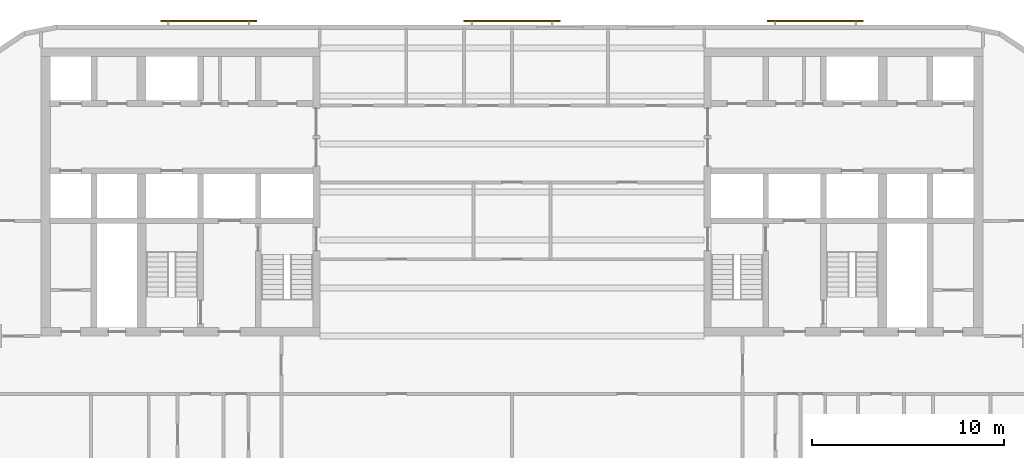
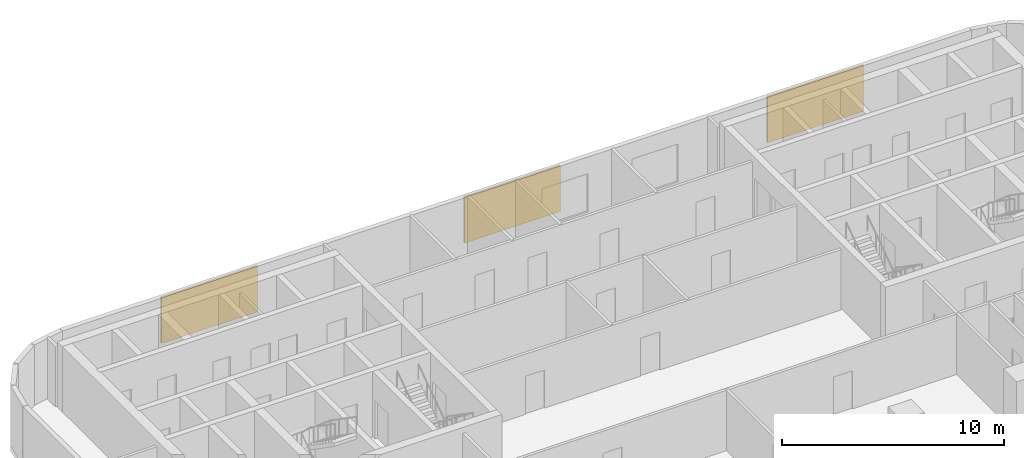
# One storey, part 10 of 11: 3 shading devices.
"""IFC4 building model written with IfcOpenShell, lengths in metres."""

from ifc_helpers import new_model, si_unit, direction, frame, origin, origin_2d, place, context, subcontext, project, spatial, rectangle, extrude, material, layer, layer_set, type_object, element, save


model = new_model("IFC4")

# Units and contexts
model_context = context("Model", 3, precision=1e-05, world=origin(), true_north=direction((0.0, 1.0)))
body_context = subcontext(model_context, "Body", "Model", "MODEL_VIEW")
ifc_project = project(units=[si_unit("LENGTHUNIT", "METRE"), si_unit("AREAUNIT", "SQUARE_METRE"), si_unit("VOLUMEUNIT", "CUBIC_METRE"), si_unit("PLANEANGLEUNIT", "RADIAN"), si_unit("MASSUNIT", "GRAM", prefix="KILO")], contexts=[model_context])

# Site, building, storey
site_placement = place(None, origin())
site = spatial("IfcSite", under=ifc_project, at=site_placement, CompositionType="ELEMENT")
building_placement = place(site_placement, origin())
building = spatial("IfcBuilding", under=site, at=building_placement, Name="Torana Hotel and Residences", CompositionType="ELEMENT")
storey_placement = place(building_placement, frame((0.0, 0.0, 130.800048828125)))
storey = spatial("IfcBuildingStorey", under=building, at=storey_placement, Name="L33", CompositionType="ELEMENT", Elevation=130.800048828125)

# Shading devices
ifc_material = material(Name="Concrete C40/50 precast", Category="concrete")
ifc_layer = layer(ifc_material, 0.10009765625)
ifc_layer_set = layer_set([ifc_layer], Name="SC1 PERFORATED BLOCK SCREEN PANEL 100")
shading_device_type = type_object("IfcShadingDeviceType", Name="SC1 PERFORATED BLOCK SCREEN PANEL 100", PredefinedType="USERDEFINED", material=ifc_layer_set)
for number, where, z_axis, x_axis, name in (
    (1, (15.78369140625, 1.39990234375, 0.5), (0.0, 0.0, 1.0), (-1.0, 0.0, 0.0), "Perforated block screen L33"),
    (2, (0.0, 1.39990234375, 0.5), (0.0, 0.0, 1.0), (-1.0, 0.0, 0.0), "Perforated block screen L33"),
    (3, (-15.78369140625, 1.39990234375, 0.5), (0.0, 0.0, 1.0), (-1.0, 0.0, 0.0), "Perforated block screen L33"),
):
    element("IfcShadingDevice", number, at=place(storey_placement, frame(where, z_axis=z_axis, x_axis=x_axis)), inside=storey, type_object=shading_device_type, Name=name, ObjectType="SCREEN", PredefinedType="USERDEFINED", context=body_context, shape_type="SweptSolid", body=[
        extrude(rectangle(XDim=5.0, YDim=0.10009765625, at=origin_2d()), origin(), (0.0, 0.0, 1.0), 2.52001953125),
    ])

save(model, "model.ifc")
